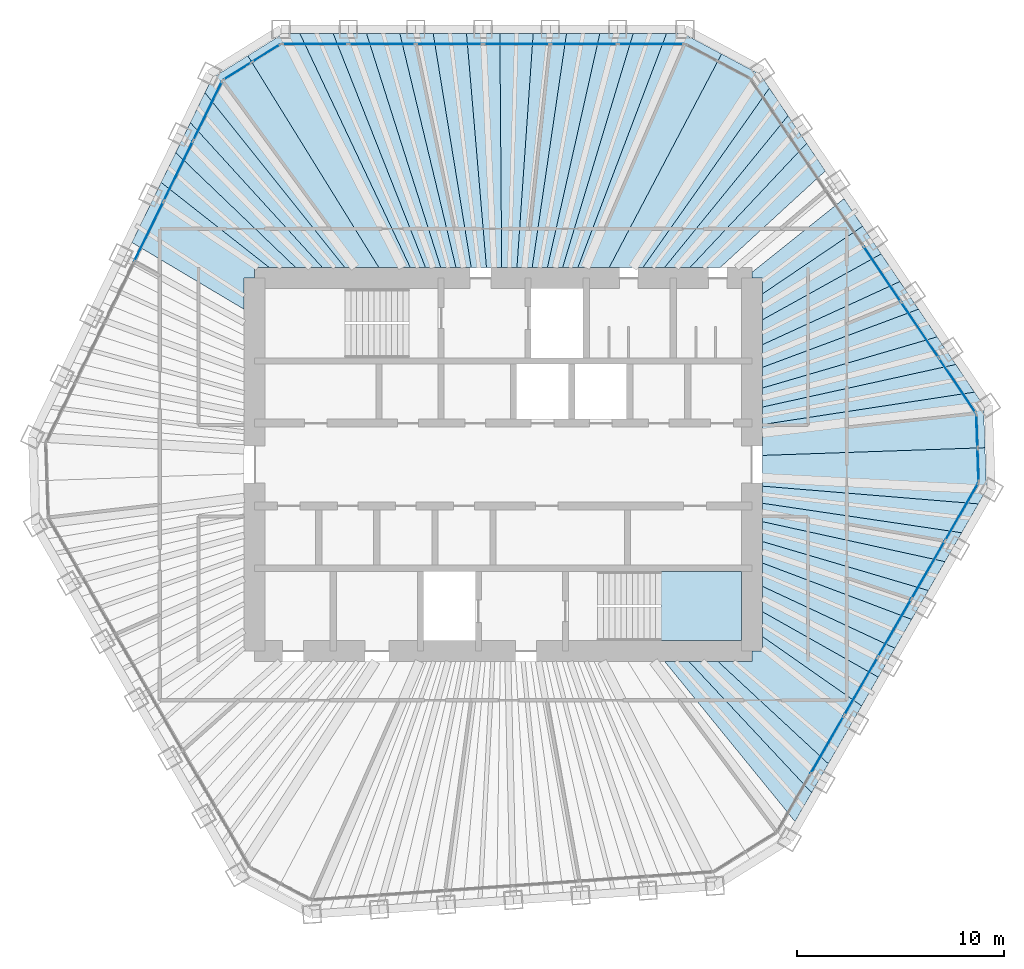
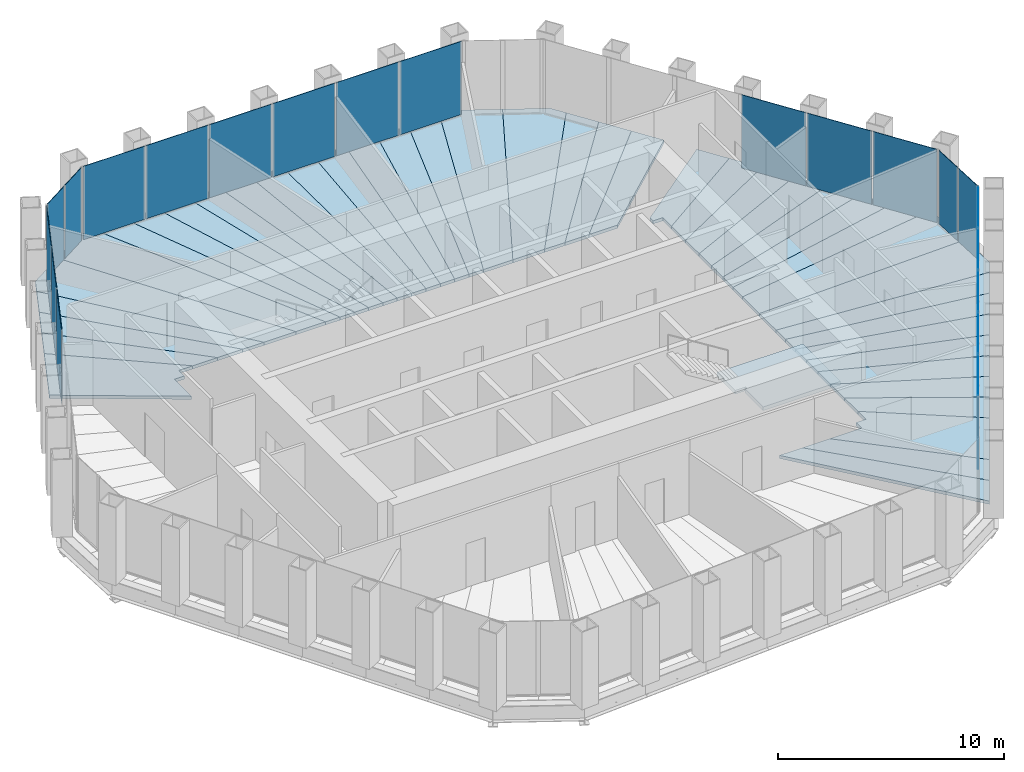
# One storey, part 10 of 14: 42 slabs, 21 plates, 7 elements without a shape of their own.
"""IFC4 building model written with IfcOpenShell, lengths in metres."""

from ifc_helpers import new_model, si_unit, direction, frame, origin, origin_2d, place, context, subcontext, project, spatial, polyline, rectangle, outline, extrude, material, layer, layer_set, type_object, element, aggregate, save


model = new_model("IFC4")

# Units and contexts
model_context = context("Model", 3, precision=1e-05, world=origin(), true_north=direction((0.0, 1.0)))
body_context = subcontext(model_context, "Body", "Model", "MODEL_VIEW")
ifc_project = project(units=[si_unit("LENGTHUNIT", "METRE"), si_unit("AREAUNIT", "SQUARE_METRE"), si_unit("VOLUMEUNIT", "CUBIC_METRE"), si_unit("PLANEANGLEUNIT", "RADIAN"), si_unit("MASSUNIT", "GRAM", prefix="KILO")], contexts=[model_context])

# Site, building, storey
site_placement = place(None, origin())
site = spatial("IfcSite", under=ifc_project, at=site_placement, CompositionType="ELEMENT")
building_placement = place(site_placement, origin())
building = spatial("IfcBuilding", under=site, at=building_placement, Name="Qingtian Harvest Tower", CompositionType="ELEMENT")
storey_placement = place(building_placement, frame((0.0, 0.0, 283.0)))
storey = spatial("IfcBuildingStorey", under=building, at=storey_placement, Name="L62", CompositionType="ELEMENT", Elevation=283.0)

# Slabs
ifc_material_1 = material(Name="Concrete fc' 35 MPa", Category="concrete")
ifc_layer_1 = layer(ifc_material_1, 0.169921875)
ifc_layer_set_1 = layer_set([ifc_layer_1], Name="Composite floor slab FS17 170")
slab_type_1 = type_object("IfcSlabType", Name="Composite floor slab FS17 170", PredefinedType="FLOOR", material=ifc_layer_set_1)
slab_1_placement = place(storey_placement, frame((0.0, 0.0, -0.169921875)))
element("IfcSlab", 1, at=slab_1_placement, inside=storey, type_object=slab_type_1, Name="Floor slab L62 panel D28", PredefinedType="FLOOR", context=body_context, shape_type="SweptSolid", body=[
    extrude(outline(polyline([(8.957275390625, -9.5), (14.88232421875, -15.8330078125), (14.077880859375, -17.2265625), (7.78515625, -9.5), (8.957275390625, -9.5)])), origin(), (0.0, 0.0, 1.0), 0.169921875),
])
slab_2_placement = place(storey_placement, frame((0.0, 0.0, -0.169921875)))
element("IfcSlab", 2, at=slab_2_placement, inside=storey, type_object=slab_type_1, Name="Floor slab L62 panel D29", PredefinedType="FLOOR", context=body_context, shape_type="SweptSolid", body=[
    extrude(outline(polyline([(10.35693359375, -9.5), (15.68701171875, -14.439453125), (14.88232421875, -15.8330078125), (8.957275390625, -9.5), (10.35693359375, -9.5)])), origin(), (0.0, 0.0, 1.0), 0.169921875),
])
slab_3_placement = place(storey_placement, frame((0.0, 0.0, -0.169921875)))
element("IfcSlab", 3, at=slab_3_placement, inside=storey, type_object=slab_type_1, Name="Floor slab L62 panel D31", PredefinedType="FLOOR", context=body_context, shape_type="SweptSolid", body=[
    extrude(outline(polyline([(12.5, -8.29443359375), (17.297119140625, -11.650390625), (15.68701171875, -14.439453125), (10.35693359375, -9.5), (12.0, -9.5), (12.0, -9.0), (12.5, -9.0), (12.5, -8.29443359375)])), origin(), (0.0, 0.0, 1.0), 0.169921875),
])
slab_4_placement = place(storey_placement, frame((0.0, 0.0, -0.169921875)))
element("IfcSlab", 4, at=slab_4_placement, inside=storey, type_object=slab_type_1, Name="Floor slab L62 panel D32", PredefinedType="FLOOR", context=body_context, shape_type="SweptSolid", body=[
    extrude(outline(polyline([(12.5, -7.099853515625), (18.099853515625, -10.26025390625), (17.297119140625, -11.650390625), (12.5, -8.29443359375), (12.5, -7.099853515625)])), origin(), (0.0, 0.0, 1.0), 0.169921875),
])
slab_5_placement = place(storey_placement, frame((0.0, 0.0, -0.169921875)))
element("IfcSlab", 5, at=slab_5_placement, inside=storey, type_object=slab_type_1, Name="Floor slab L62 panel D33", PredefinedType="FLOOR", context=body_context, shape_type="SweptSolid", body=[
    extrude(outline(polyline([(12.5, -5.875244140625), (18.904296875, -8.86669921875), (18.099853515625, -10.26025390625), (12.5, -7.099853515625), (12.5, -5.875244140625)])), origin(), (0.0, 0.0, 1.0), 0.169921875),
])
slab_6_placement = place(storey_placement, frame((0.0, 0.0, -0.169921875)))
element("IfcSlab", 6, at=slab_6_placement, inside=storey, type_object=slab_type_1, Name="Floor slab L62 panel D34", PredefinedType="FLOOR", context=body_context, shape_type="SweptSolid", body=[
    extrude(outline(polyline([(12.5, -4.750732421875), (19.708740234375, -7.473388671875), (18.904296875, -8.86669921875), (12.5, -5.875244140625), (12.5, -4.750732421875)])), origin(), (0.0, 0.0, 1.0), 0.169921875),
])
slab_7_placement = place(storey_placement, frame((0.0, 0.0, -0.169921875)))
element("IfcSlab", 7, at=slab_7_placement, inside=storey, type_object=slab_type_1, Name="Floor slab L62 panel D35", PredefinedType="FLOOR", context=body_context, shape_type="SweptSolid", body=[
    extrude(outline(polyline([(12.5, -3.714599609375), (20.51318359375, -6.080078125), (19.708740234375, -7.473388671875), (12.5, -4.750732421875), (12.5, -3.714599609375)])), origin(), (0.0, 0.0, 1.0), 0.169921875),
])
slab_8_placement = place(storey_placement, frame((0.0, 0.0, -0.169921875)))
element("IfcSlab", 8, at=slab_8_placement, inside=storey, type_object=slab_type_1, Name="Floor slab L62 panel D36", PredefinedType="FLOOR", context=body_context, shape_type="SweptSolid", body=[
    extrude(outline(polyline([(12.5, -2.756591796875), (21.317626953125, -4.6865234375), (20.51318359375, -6.080078125), (12.5, -3.714599609375), (12.5, -2.756591796875)])), origin(), (0.0, 0.0, 1.0), 0.169921875),
])
slab_9_placement = place(storey_placement, frame((0.0, 0.0, -0.169921875)))
element("IfcSlab", 9, at=slab_9_placement, inside=storey, type_object=slab_type_1, Name="Floor slab L62 panel D37", PredefinedType="FLOOR", context=body_context, shape_type="SweptSolid", body=[
    extrude(outline(polyline([(12.5, -1.868408203125), (22.122314453125, -3.293212890625), (21.317626953125, -4.6865234375), (12.5, -2.756591796875), (12.5, -1.868408203125)])), origin(), (0.0, 0.0, 1.0), 0.169921875),
])
slab_10_placement = place(storey_placement, frame((0.0, 0.0, -0.169921875)))
element("IfcSlab", 10, at=slab_10_placement, inside=storey, type_object=slab_type_1, Name="Floor slab L62 panel D38", PredefinedType="FLOOR", context=body_context, shape_type="SweptSolid", body=[
    extrude(outline(polyline([(12.5, -1.042724609375), (22.9267578125, -1.89990234375), (22.122314453125, -3.293212890625), (12.5, -1.868408203125), (12.5, -1.042724609375)])), origin(), (0.0, 0.0, 1.0), 0.169921875),
])
slab_11_placement = place(storey_placement, frame((0.0, 0.0, -0.169921875)))
element("IfcSlab", 11, at=slab_11_placement, inside=storey, type_object=slab_type_1, Name="Floor slab L62 panel D39", PredefinedType="FLOOR", context=body_context, shape_type="SweptSolid", body=[
    extrude(outline(polyline([(12.5, -1.042724609375), (12.5, 0.439697265625), (23.246826171875, 0.811767578125), (23.31787109375, -1.22216796875), (22.9267578125, -1.89990234375), (12.5, -1.042724609375)])), origin(), (0.0, 0.0, 1.0), 0.169921875),
])
slab_12_placement = place(storey_placement, frame((0.0, 0.0, -0.169921875)))
element("IfcSlab", 12, at=slab_12_placement, inside=storey, type_object=slab_type_1, Name="Floor slab L62 panel D40", PredefinedType="FLOOR", context=body_context, shape_type="SweptSolid", body=[
    extrude(outline(polyline([(12.5, 0.439697265625), (12.5, 1.928955078125), (22.73828125, 3.494384765625), (23.17578125, 2.845947265625), (23.246826171875, 0.811767578125), (12.5, 0.439697265625)])), origin(), (0.0, 0.0, 1.0), 0.169921875),
])
slab_13_placement = place(storey_placement, frame((0.0, 0.0, -0.169921875)))
element("IfcSlab", 13, at=slab_13_placement, inside=storey, type_object=slab_type_1, Name="Floor slab L62 panel D41", PredefinedType="FLOOR", context=body_context, shape_type="SweptSolid", body=[
    extrude(outline(polyline([(12.5, 2.772705078125), (21.838623046875, 4.828369140625), (22.73828125, 3.494384765625), (12.5, 1.928955078125), (12.5, 2.772705078125)])), origin(), (0.0, 0.0, 1.0), 0.169921875),
])
slab_14_placement = place(storey_placement, frame((0.0, 0.0, -0.169921875)))
element("IfcSlab", 14, at=slab_14_placement, inside=storey, type_object=slab_type_1, Name="Floor slab L62 panel D42", PredefinedType="FLOOR", context=body_context, shape_type="SweptSolid", body=[
    extrude(outline(polyline([(12.5, 3.688720703125), (20.93896484375, 6.162353515625), (21.838623046875, 4.828369140625), (12.5, 2.772705078125), (12.5, 3.688720703125)])), origin(), (0.0, 0.0, 1.0), 0.169921875),
])
slab_15_placement = place(storey_placement, frame((0.0, 0.0, -0.169921875)))
element("IfcSlab", 15, at=slab_15_placement, inside=storey, type_object=slab_type_1, Name="Floor slab L62 panel D43", PredefinedType="FLOOR", context=body_context, shape_type="SweptSolid", body=[
    extrude(outline(polyline([(12.5, 4.6875), (20.0390625, 7.49609375), (20.93896484375, 6.162353515625), (12.5, 3.688720703125), (12.5, 4.6875)])), origin(), (0.0, 0.0, 1.0), 0.169921875),
])
slab_16_placement = place(storey_placement, frame((0.0, 0.0, -0.169921875)))
element("IfcSlab", 16, at=slab_16_placement, inside=storey, type_object=slab_type_1, Name="Floor slab L62 panel D44", PredefinedType="FLOOR", context=body_context, shape_type="SweptSolid", body=[
    extrude(outline(polyline([(12.5, 5.780029296875), (19.139404296875, 8.830078125), (20.0390625, 7.49609375), (12.5, 4.6875), (12.5, 5.780029296875)])), origin(), (0.0, 0.0, 1.0), 0.169921875),
])
slab_17_placement = place(storey_placement, frame((0.0, 0.0, -0.169921875)))
element("IfcSlab", 17, at=slab_17_placement, inside=storey, type_object=slab_type_1, Name="Floor slab L62 panel D45", PredefinedType="FLOOR", context=body_context, shape_type="SweptSolid", body=[
    extrude(outline(polyline([(12.5, 6.980712890625), (18.23974609375, 10.1640625), (19.139404296875, 8.830078125), (12.5, 5.780029296875), (12.5, 6.980712890625)])), origin(), (0.0, 0.0, 1.0), 0.169921875),
])
slab_18_placement = place(storey_placement, frame((0.0, 0.0, -0.169921875)))
element("IfcSlab", 18, at=slab_18_placement, inside=storey, type_object=slab_type_1, Name="Floor slab L62 panel D46", PredefinedType="FLOOR", context=body_context, shape_type="SweptSolid", body=[
    extrude(outline(polyline([(12.5, 8.22998046875), (17.341064453125, 11.496337890625), (18.23974609375, 10.1640625), (12.5, 6.980712890625), (12.5, 8.22998046875)])), origin(), (0.0, 0.0, 1.0), 0.169921875),
])
slab_19_placement = place(storey_placement, frame((0.0, 0.0, -0.169921875)))
element("IfcSlab", 19, at=slab_19_placement, inside=storey, type_object=slab_type_1, Name="Floor slab L62 panel D47", PredefinedType="FLOOR", context=body_context, shape_type="SweptSolid", body=[
    extrude(outline(polyline([(12.5, 9.0), (12.0, 9.0), (12.0, 9.2734375), (16.44189453125, 12.829345703125), (17.341064453125, 11.496337890625), (12.5, 8.22998046875), (12.5, 9.0)])), origin(), (0.0, 0.0, 1.0), 0.169921875),
])
slab_20_placement = place(storey_placement, frame((0.0, 0.0, -0.169921875)))
element("IfcSlab", 20, at=slab_20_placement, inside=storey, type_object=slab_type_1, Name="Floor slab L62 panel D49", PredefinedType="FLOOR", context=body_context, shape_type="SweptSolid", body=[
    extrude(outline(polyline([(9.002685546875, 9.5), (14.641357421875, 15.498779296875), (15.541259765625, 14.16455078125), (10.4599609375, 9.5), (9.002685546875, 9.5)])), origin(), (0.0, 0.0, 1.0), 0.169921875),
])
slab_21_placement = place(storey_placement, frame((0.0, 0.0, -0.169921875)))
element("IfcSlab", 21, at=slab_21_placement, inside=storey, type_object=slab_type_1, Name="Floor slab L62 panel D50", PredefinedType="FLOOR", context=body_context, shape_type="SweptSolid", body=[
    extrude(outline(polyline([(7.77734375, 9.5), (13.74169921875, 16.832763671875), (14.641357421875, 15.498779296875), (9.002685546875, 9.5), (7.77734375, 9.5)])), origin(), (0.0, 0.0, 1.0), 0.169921875),
])
slab_22_placement = place(storey_placement, frame((0.0, 0.0, -0.169921875)))
element("IfcSlab", 22, at=slab_22_placement, inside=storey, type_object=slab_type_1, Name="Floor slab L62 panel D51", PredefinedType="FLOOR", context=body_context, shape_type="SweptSolid", body=[
    extrude(outline(polyline([(6.73291015625, 9.5), (12.841796875, 18.16650390625), (13.74169921875, 16.832763671875), (7.77734375, 9.5), (6.73291015625, 9.5)])), origin(), (0.0, 0.0, 1.0), 0.169921875),
])
slab_23_placement = place(storey_placement, frame((0.0, 0.0, -0.169921875)))
element("IfcSlab", 23, at=slab_23_placement, inside=storey, type_object=slab_type_1, Name="Floor slab L62 panel D52", PredefinedType="FLOOR", context=body_context, shape_type="SweptSolid", body=[
    extrude(outline(polyline([(6.73291015625, 9.5), (5.108154296875, 9.5), (10.5341796875, 19.809814453125), (12.404296875, 18.8154296875), (12.841796875, 18.16650390625), (6.73291015625, 9.5)])), origin(), (0.0, 0.0, 1.0), 0.169921875),
])
slab_24_placement = place(storey_placement, frame((0.0, 0.0, -0.169921875)))
element("IfcSlab", 24, at=slab_24_placement, inside=storey, type_object=slab_type_1, Name="Floor slab L62 panel D53", PredefinedType="FLOOR", context=body_context, shape_type="SweptSolid", body=[
    extrude(outline(polyline([(3.59814453125, 9.5), (7.880126953125, 20.804931640625), (8.662109375, 20.804931640625), (10.5341796875, 19.809814453125), (5.108154296875, 9.5), (3.59814453125, 9.5)])), origin(), (0.0, 0.0, 1.0), 0.169921875),
])
slab_25_placement = place(storey_placement, frame((0.0, 0.0, -0.169921875)))
element("IfcSlab", 25, at=slab_25_placement, inside=storey, type_object=slab_type_1, Name="Floor slab L62 panel D54", PredefinedType="FLOOR", context=body_context, shape_type="SweptSolid", body=[
    extrude(outline(polyline([(2.863525390625, 9.5), (6.27099609375, 20.804931640625), (7.880126953125, 20.804931640625), (3.59814453125, 9.5), (2.863525390625, 9.5)])), origin(), (0.0, 0.0, 1.0), 0.169921875),
])
slab_26_placement = place(storey_placement, frame((0.0, 0.0, -0.169921875)))
element("IfcSlab", 26, at=slab_26_placement, inside=storey, type_object=slab_type_1, Name="Floor slab L62 panel D55", PredefinedType="FLOOR", context=body_context, shape_type="SweptSolid", body=[
    extrude(outline(polyline([(2.12890625, 9.5), (4.662109375, 20.804931640625), (6.27099609375, 20.804931640625), (2.863525390625, 9.5), (2.12890625, 9.5)])), origin(), (0.0, 0.0, 1.0), 0.169921875),
])
slab_27_placement = place(storey_placement, frame((0.0, 0.0, -0.169921875)))
element("IfcSlab", 27, at=slab_27_placement, inside=storey, type_object=slab_type_1, Name="Floor slab L62 panel D56", PredefinedType="FLOOR", context=body_context, shape_type="SweptSolid", body=[
    extrude(outline(polyline([(1.394287109375, 9.5), (3.05322265625, 20.804931640625), (4.662109375, 20.804931640625), (2.12890625, 9.5), (1.394287109375, 9.5)])), origin(), (0.0, 0.0, 1.0), 0.169921875),
])
slab_28_placement = place(storey_placement, frame((0.0, 0.0, -0.169921875)))
element("IfcSlab", 28, at=slab_28_placement, inside=storey, type_object=slab_type_1, Name="Floor slab L62 panel D57", PredefinedType="FLOOR", context=body_context, shape_type="SweptSolid", body=[
    extrude(outline(polyline([(0.659423828125, 9.5), (1.4443359375, 20.804931640625), (3.05322265625, 20.804931640625), (1.394287109375, 9.5), (0.659423828125, 9.5)])), origin(), (0.0, 0.0, 1.0), 0.169921875),
])
slab_29_placement = place(storey_placement, frame((0.0, 0.0, -0.169921875)))
element("IfcSlab", 29, at=slab_29_placement, inside=storey, type_object=slab_type_1, Name="Floor slab L62 panel D58", PredefinedType="FLOOR", context=body_context, shape_type="SweptSolid", body=[
    extrude(outline(polyline([(-0.0751953125, 9.5), (-0.16455078125, 20.804931640625), (1.4443359375, 20.804931640625), (0.659423828125, 9.5), (-0.0751953125, 9.5)])), origin(), (0.0, 0.0, 1.0), 0.169921875),
])
slab_30_placement = place(storey_placement, frame((0.0, 0.0, -0.169921875)))
element("IfcSlab", 30, at=slab_30_placement, inside=storey, type_object=slab_type_1, Name="Floor slab L62 panel D59", PredefinedType="FLOOR", context=body_context, shape_type="SweptSolid", body=[
    extrude(outline(polyline([(-0.809814453125, 9.5), (-1.773681640625, 20.804931640625), (-0.16455078125, 20.804931640625), (-0.0751953125, 9.5), (-0.809814453125, 9.5)])), origin(), (0.0, 0.0, 1.0), 0.169921875),
])
slab_31_placement = place(storey_placement, frame((0.0, 0.0, -0.169921875)))
element("IfcSlab", 31, at=slab_31_placement, inside=storey, type_object=slab_type_1, Name="Floor slab L62 panel D60", PredefinedType="FLOOR", context=body_context, shape_type="SweptSolid", body=[
    extrude(outline(polyline([(-1.54443359375, 9.5), (-3.382568359375, 20.804931640625), (-1.773681640625, 20.804931640625), (-0.809814453125, 9.5), (-1.54443359375, 9.5)])), origin(), (0.0, 0.0, 1.0), 0.169921875),
])
slab_32_placement = place(storey_placement, frame((0.0, 0.0, -0.169921875)))
element("IfcSlab", 32, at=slab_32_placement, inside=storey, type_object=slab_type_1, Name="Floor slab L62 panel D61", PredefinedType="FLOOR", context=body_context, shape_type="SweptSolid", body=[
    extrude(outline(polyline([(-2.279296875, 9.5), (-4.991455078125, 20.804931640625), (-3.382568359375, 20.804931640625), (-1.54443359375, 9.5), (-2.279296875, 9.5)])), origin(), (0.0, 0.0, 1.0), 0.169921875),
])
slab_33_placement = place(storey_placement, frame((0.0, 0.0, -0.169921875)))
element("IfcSlab", 33, at=slab_33_placement, inside=storey, type_object=slab_type_1, Name="Floor slab L62 panel D62", PredefinedType="FLOOR", context=body_context, shape_type="SweptSolid", body=[
    extrude(outline(polyline([(-3.013916015625, 9.5), (-6.600341796875, 20.804931640625), (-4.991455078125, 20.804931640625), (-2.279296875, 9.5), (-3.013916015625, 9.5)])), origin(), (0.0, 0.0, 1.0), 0.169921875),
])
slab_34_placement = place(storey_placement, frame((0.0, 0.0, -0.169921875)))
element("IfcSlab", 34, at=slab_34_placement, inside=storey, type_object=slab_type_1, Name="Floor slab L62 panel D63", PredefinedType="FLOOR", context=body_context, shape_type="SweptSolid", body=[
    extrude(outline(polyline([(-3.74853515625, 9.5), (-8.209228515625, 20.804931640625), (-6.600341796875, 20.804931640625), (-3.013916015625, 9.5), (-3.74853515625, 9.5)])), origin(), (0.0, 0.0, 1.0), 0.169921875),
])
slab_35_placement = place(storey_placement, frame((0.0, 0.0, -0.169921875)))
element("IfcSlab", 35, at=slab_35_placement, inside=storey, type_object=slab_type_1, Name="Floor slab L62 panel D64", PredefinedType="FLOOR", context=body_context, shape_type="SweptSolid", body=[
    extrude(outline(polyline([(-4.483154296875, 9.5), (-9.818115234375, 20.804931640625), (-8.209228515625, 20.804931640625), (-3.74853515625, 9.5), (-4.483154296875, 9.5)])), origin(), (0.0, 0.0, 1.0), 0.169921875),
])
slab_36_placement = place(storey_placement, frame((0.0, 0.0, -0.169921875)))
element("IfcSlab", 36, at=slab_36_placement, inside=storey, type_object=slab_type_1, Name="Floor slab L62 panel D65", PredefinedType="FLOOR", context=body_context, shape_type="SweptSolid", body=[
    extrude(outline(polyline([(-4.483154296875, 9.5), (-5.998291015625, 9.5), (-12.327392578125, 19.725830078125), (-10.600341796875, 20.804931640625), (-9.818115234375, 20.804931640625), (-4.483154296875, 9.5)])), origin(), (0.0, 0.0, 1.0), 0.169921875),
])
slab_37_placement = place(storey_placement, frame((0.0, 0.0, -0.169921875)))
element("IfcSlab", 37, at=slab_37_placement, inside=storey, type_object=slab_type_1, Name="Floor slab L62 panel D66", PredefinedType="FLOOR", context=body_context, shape_type="SweptSolid", body=[
    extrude(outline(polyline([(-5.998291015625, 9.5), (-7.640869140625, 9.5), (-14.3955078125, 17.944580078125), (-14.052490234375, 18.64794921875), (-12.327392578125, 19.725830078125), (-5.998291015625, 9.5)])), origin(), (0.0, 0.0, 1.0), 0.169921875),
])
slab_38_placement = place(storey_placement, frame((0.0, 0.0, -0.169921875)))
element("IfcSlab", 38, at=slab_38_placement, inside=storey, type_object=slab_type_1, Name="Floor slab L62 panel D67", PredefinedType="FLOOR", context=body_context, shape_type="SweptSolid", body=[
    extrude(outline(polyline([(-8.720703125, 9.5), (-15.100830078125, 16.498291015625), (-14.3955078125, 17.944580078125), (-7.640869140625, 9.5), (-8.720703125, 9.5)])), origin(), (0.0, 0.0, 1.0), 0.169921875),
])
slab_39_placement = place(storey_placement, frame((0.0, 0.0, -0.169921875)))
element("IfcSlab", 39, at=slab_39_placement, inside=storey, type_object=slab_type_1, Name="Floor slab L62 panel D68", PredefinedType="FLOOR", context=body_context, shape_type="SweptSolid", body=[
    extrude(outline(polyline([(-10.00927734375, 9.5), (-15.80615234375, 15.05224609375), (-15.100830078125, 16.498291015625), (-8.720703125, 9.5), (-10.00927734375, 9.5)])), origin(), (0.0, 0.0, 1.0), 0.169921875),
])
slab_40_placement = place(storey_placement, frame((0.0, 0.0, -0.169921875)))
element("IfcSlab", 40, at=slab_40_placement, inside=storey, type_object=slab_type_1, Name="Floor slab L62 panel D69", PredefinedType="FLOOR", context=body_context, shape_type="SweptSolid", body=[
    extrude(outline(polyline([(-11.28125, 9.5), (-16.50927734375, 13.61083984375), (-15.80615234375, 15.05224609375), (-10.00927734375, 9.5), (-11.28125, 9.5)])), origin(), (0.0, 0.0, 1.0), 0.169921875),
])
slab_41_placement = place(storey_placement, frame((0.0, 0.0, -0.169921875)))
element("IfcSlab", 41, at=slab_41_placement, inside=storey, type_object=slab_type_1, Name="Floor slab L62 panel D70", PredefinedType="FLOOR", context=body_context, shape_type="SweptSolid", body=[
    extrude(outline(polyline([(-12.0, 9.0), (-12.5, 9.0), (-12.5, 7.48583984375), (-17.921875, 10.714599609375), (-16.50927734375, 13.61083984375), (-11.28125, 9.5), (-12.0, 9.5), (-12.0, 9.0)])), origin(), (0.0, 0.0, 1.0), 0.169921875),
])

# Curtain wall, plates
ifc_material_2 = material(Name="Bronze-anodised aluminium curtain wall", Category="aluminium")
curtain_wall_type = type_object("IfcCurtainWallType", Name="Curtain wall CW5 upper office", PredefinedType="USERDEFINED", material=ifc_material_2)
curtain_wall_1_placement = place(storey_placement, origin())
curtain_wall_1 = element("IfcCurtainWall", 42, at=curtain_wall_1_placement, inside=storey, type_object=curtain_wall_type, Name="Curtain wall CW5 L62 N0-5", ObjectType="RECESSED CURTAIN WALL", PredefinedType="USERDEFINED")
ifc_material_3 = material(Name="Bronze-tinted laminated insulating glass", Category="glass")
ifc_layer_2 = layer(ifc_material_3, 0.030029296875)
ifc_layer_set_2 = layer_set([ifc_layer_2], Name="Glazed panel CWP tinted IGU")
plate_type = type_object("IfcPlateType", Name="Glazed panel CWP tinted IGU", PredefinedType="CURTAIN_PANEL", material=ifc_layer_set_2)
plate_1_placement = place(storey_placement, frame((-9.08203125, 20.300048828125, 0.06494140625), z_axis=(0.0, 0.0, 1.0), x_axis=(1.0, 0.0, 0.0)))
plate_1 = element("IfcPlate", 43, at=plate_1_placement, type_object=plate_type, Name="CW5 panel 1.1", PredefinedType="CURTAIN_PANEL", context=body_context, shape_type="SweptSolid", body=[
    extrude(rectangle(XDim=3.150634765625, YDim=0.030029296875, at=origin_2d()), origin(), (0.0, 0.0, 1.0), 3.965087890625),
])
plate_2_placement = place(storey_placement, frame((-5.85009765625, 20.300048828125, 0.06494140625), z_axis=(0.0, 0.0, 1.0), x_axis=(1.0, 0.0, 0.0)))
plate_2 = element("IfcPlate", 44, at=plate_2_placement, type_object=plate_type, Name="CW5 panel 2.1", PredefinedType="CURTAIN_PANEL", context=body_context, shape_type="SweptSolid", body=[
    extrude(rectangle(XDim=3.18310546875, YDim=0.030029296875, at=origin_2d()), origin(), (0.0, 0.0, 1.0), 3.965087890625),
])
plate_3_placement = place(storey_placement, frame((-2.602294921875, 20.300048828125, 0.06494140625), z_axis=(0.0, 0.0, 1.0), x_axis=(1.0, 0.0, 0.0)))
plate_3 = element("IfcPlate", 45, at=plate_3_placement, type_object=plate_type, Name="CW5 panel 3.1", PredefinedType="CURTAIN_PANEL", context=body_context, shape_type="SweptSolid", body=[
    extrude(rectangle(XDim=3.18310546875, YDim=0.030029296875, at=origin_2d()), origin(), (0.0, 0.0, 1.0), 3.965087890625),
])
plate_4_placement = place(storey_placement, frame((0.645751953125, 20.300048828125, 0.06494140625), z_axis=(0.0, 0.0, 1.0), x_axis=(1.0, 0.0, 0.0)))
plate_4 = element("IfcPlate", 46, at=plate_4_placement, type_object=plate_type, Name="CW5 panel 4.1", PredefinedType="CURTAIN_PANEL", context=body_context, shape_type="SweptSolid", body=[
    extrude(rectangle(XDim=3.18310546875, YDim=0.030029296875, at=origin_2d()), origin(), (0.0, 0.0, 1.0), 3.965087890625),
])
plate_5_placement = place(storey_placement, frame((3.893798828125, 20.300048828125, 0.06494140625), z_axis=(0.0, 0.0, 1.0), x_axis=(1.0, 0.0, 0.0)))
plate_5 = element("IfcPlate", 47, at=plate_5_placement, type_object=plate_type, Name="CW5 panel 5.1", PredefinedType="CURTAIN_PANEL", context=body_context, shape_type="SweptSolid", body=[
    extrude(rectangle(XDim=3.18310546875, YDim=0.030029296875, at=origin_2d()), origin(), (0.0, 0.0, 1.0), 3.965087890625),
])
plate_6_placement = place(storey_placement, frame((7.125732421875, 20.300048828125, 0.06494140625), z_axis=(0.0, 0.0, 1.0), x_axis=(1.0, 0.0, 0.0)))
plate_6 = element("IfcPlate", 48, at=plate_6_placement, type_object=plate_type, Name="CW5 panel 6.1", PredefinedType="CURTAIN_PANEL", context=body_context, shape_type="SweptSolid", body=[
    extrude(rectangle(XDim=3.150634765625, YDim=0.030029296875, at=origin_2d()), origin(), (0.0, 0.0, 1.0), 3.965087890625),
])
aggregate(curtain_wall_1, [plate_1, plate_2, plate_3, plate_4, plate_5, plate_6])

curtain_wall_2_placement = place(storey_placement, origin())
curtain_wall_2 = element("IfcCurtainWall", 49, at=curtain_wall_2_placement, inside=storey, type_object=curtain_wall_type, Name="Curtain wall CW5 L62 NE0-5", ObjectType="RECESSED CURTAIN WALL", PredefinedType="USERDEFINED")
plate_7_placement = place(storey_placement, frame((18.28466796875, 9.1943359375, 0.06494140625), z_axis=(0.0, 0.0, 1.0), x_axis=(0.559192903471, -0.829037572555, 0.0)))
plate_7 = element("IfcPlate", 50, at=plate_7_placement, type_object=plate_type, Name="CW5 panel 4.1", PredefinedType="CURTAIN_PANEL", context=body_context, shape_type="SweptSolid", body=[
    extrude(rectangle(XDim=3.18310546875, YDim=0.030029296875, at=origin_2d()), origin(), (0.0, 0.0, 1.0), 3.965087890625),
])
plate_8_placement = place(storey_placement, frame((20.100830078125, 6.50146484375, 0.06494140625), z_axis=(0.0, 0.0, 1.0), x_axis=(0.559192903471, -0.829037572555, 0.0)))
plate_8 = element("IfcPlate", 51, at=plate_8_placement, type_object=plate_type, Name="CW5 panel 5.1", PredefinedType="CURTAIN_PANEL", context=body_context, shape_type="SweptSolid", body=[
    extrude(rectangle(XDim=3.18310546875, YDim=0.030029296875, at=origin_2d()), origin(), (0.0, 0.0, 1.0), 3.965087890625),
])
plate_9_placement = place(storey_placement, frame((21.907958984375, 3.822265625, 0.06494140625), z_axis=(0.0, 0.0, 1.0), x_axis=(0.559192903471, -0.829037572555, 0.0)))
plate_9 = element("IfcPlate", 52, at=plate_9_placement, type_object=plate_type, Name="CW5 panel 6.1", PredefinedType="CURTAIN_PANEL", context=body_context, shape_type="SweptSolid", body=[
    extrude(rectangle(XDim=3.150634765625, YDim=0.030029296875, at=origin_2d()), origin(), (0.0, 0.0, 1.0), 3.965087890625),
])
aggregate(curtain_wall_2, [plate_7, plate_8, plate_9])

curtain_wall_3_placement = place(storey_placement, origin())
curtain_wall_3 = element("IfcCurtainWall", 53, at=curtain_wall_3_placement, inside=storey, type_object=curtain_wall_type, Name="Curtain wall CW5 L62 NEC", ObjectType="RECESSED CURTAIN WALL", PredefinedType="USERDEFINED")
plate_10_placement = place(storey_placement, frame((22.85498046875, 1.614501953125, 0.06494140625), z_axis=(0.0, 0.0, 1.0), x_axis=(0.034899496703, -0.999390827019, 0.0)))
plate_10 = element("IfcPlate", 54, at=plate_10_placement, type_object=plate_type, Name="CW5 panel 1.1", PredefinedType="CURTAIN_PANEL", context=body_context, shape_type="SweptSolid", body=[
    extrude(rectangle(XDim=1.56689453125, YDim=0.030029296875, at=origin_2d()), origin(), (0.0, 0.0, 1.0), 3.965087890625),
])
plate_11_placement = place(storey_placement, frame((22.911865234375, -0.016357421875, 0.06494140625), z_axis=(0.0, 0.0, 1.0), x_axis=(0.034899496703, -0.999390827019, 0.0)))
plate_11 = element("IfcPlate", 55, at=plate_11_placement, type_object=plate_type, Name="CW5 panel 2.1", PredefinedType="CURTAIN_PANEL", context=body_context, shape_type="SweptSolid", body=[
    extrude(rectangle(XDim=1.56689453125, YDim=0.030029296875, at=origin_2d()), origin(), (0.0, 0.0, 1.0), 3.965087890625),
])
aggregate(curtain_wall_3, [plate_10, plate_11])

curtain_wall_4_placement = place(storey_placement, origin())
curtain_wall_4 = element("IfcCurtainWall", 56, at=curtain_wall_4_placement, inside=storey, type_object=curtain_wall_type, Name="Curtain wall CW5 L62 SE0-5", ObjectType="RECESSED CURTAIN WALL", PredefinedType="USERDEFINED")
plate_12_placement = place(storey_placement, frame((22.121337890625, -2.28466796875, 0.06494140625), z_axis=(0.0, 0.0, 1.0), x_axis=(-0.5, -0.866025403784, 0.0)))
plate_12 = element("IfcPlate", 57, at=plate_12_placement, type_object=plate_type, Name="CW5 panel 1.1", PredefinedType="CURTAIN_PANEL", context=body_context, shape_type="SweptSolid", body=[
    extrude(rectangle(XDim=3.150634765625, YDim=0.030029296875, at=origin_2d()), origin(), (0.0, 0.0, 1.0), 3.965087890625),
])
plate_13_placement = place(storey_placement, frame((20.50537109375, -5.08349609375, 0.06494140625), z_axis=(0.0, 0.0, 1.0), x_axis=(-0.5, -0.866025403784, 0.0)))
plate_13 = element("IfcPlate", 58, at=plate_13_placement, type_object=plate_type, Name="CW5 panel 2.1", PredefinedType="CURTAIN_PANEL", context=body_context, shape_type="SweptSolid", body=[
    extrude(rectangle(XDim=3.18310546875, YDim=0.030029296875, at=origin_2d()), origin(), (0.0, 0.0, 1.0), 3.965087890625),
])
plate_14_placement = place(storey_placement, frame((18.88134765625, -7.896484375, 0.06494140625), z_axis=(0.0, 0.0, 1.0), x_axis=(-0.5, -0.866025403784, 0.0)))
plate_14 = element("IfcPlate", 59, at=plate_14_placement, type_object=plate_type, Name="CW5 panel 3.1", PredefinedType="CURTAIN_PANEL", context=body_context, shape_type="SweptSolid", body=[
    extrude(rectangle(XDim=3.18310546875, YDim=0.030029296875, at=origin_2d()), origin(), (0.0, 0.0, 1.0), 3.965087890625),
])
plate_15_placement = place(storey_placement, frame((17.25732421875, -10.709228515625, 0.06494140625), z_axis=(0.0, 0.0, 1.0), x_axis=(-0.5, -0.866025403784, 0.0)))
plate_15 = element("IfcPlate", 60, at=plate_15_placement, type_object=plate_type, Name="CW5 panel 4.1", PredefinedType="CURTAIN_PANEL", context=body_context, shape_type="SweptSolid", body=[
    extrude(rectangle(XDim=3.18310546875, YDim=0.030029296875, at=origin_2d()), origin(), (0.0, 0.0, 1.0), 3.965087890625),
])
plate_16_placement = place(storey_placement, frame((15.63330078125, -13.522216796875, 0.06494140625), z_axis=(0.0, 0.0, 1.0), x_axis=(-0.5, -0.866025403784, 0.0)))
plate_16 = element("IfcPlate", 61, at=plate_16_placement, type_object=plate_type, Name="CW5 panel 5.1", PredefinedType="CURTAIN_PANEL", context=body_context, shape_type="SweptSolid", body=[
    extrude(rectangle(XDim=3.18310546875, YDim=0.030029296875, at=origin_2d()), origin(), (0.0, 0.0, 1.0), 3.965087890625),
])
aggregate(curtain_wall_4, [plate_12, plate_13, plate_14, plate_15, plate_16])

curtain_wall_5_placement = place(storey_placement, origin())
curtain_wall_5 = element("IfcCurtainWall", 62, at=curtain_wall_5_placement, inside=storey, type_object=curtain_wall_type, Name="Curtain wall CW5 L62 NW0-5", ObjectType="RECESSED CURTAIN WALL", PredefinedType="USERDEFINED")
plate_17_placement = place(storey_placement, frame((-17.104736328125, 11.23779296875, 0.06494140625), z_axis=(0.0, 0.0, 1.0), x_axis=(0.438371146789, 0.898794046299, 0.0)))
plate_17 = element("IfcPlate", 63, at=plate_17_placement, type_object=plate_type, Name="CW5 panel 4.1", PredefinedType="CURTAIN_PANEL", context=body_context, shape_type="SweptSolid", body=[
    extrude(rectangle(XDim=3.18310546875, YDim=0.030029296875, at=origin_2d()), origin(), (0.0, 0.0, 1.0), 3.965087890625),
])
plate_18_placement = place(storey_placement, frame((-15.680908203125, 14.156982421875, 0.06494140625), z_axis=(0.0, 0.0, 1.0), x_axis=(0.438371146789, 0.898794046299, 0.0)))
plate_18 = element("IfcPlate", 64, at=plate_18_placement, type_object=plate_type, Name="CW5 panel 5.1", PredefinedType="CURTAIN_PANEL", context=body_context, shape_type="SweptSolid", body=[
    extrude(rectangle(XDim=3.18310546875, YDim=0.030029296875, at=origin_2d()), origin(), (0.0, 0.0, 1.0), 3.965087890625),
])
plate_19_placement = place(storey_placement, frame((-14.26416015625, 17.061767578125, 0.06494140625), z_axis=(0.0, 0.0, 1.0), x_axis=(0.438371146789, 0.898794046299, 0.0)))
plate_19 = element("IfcPlate", 65, at=plate_19_placement, type_object=plate_type, Name="CW5 panel 6.1", PredefinedType="CURTAIN_PANEL", context=body_context, shape_type="SweptSolid", body=[
    extrude(rectangle(XDim=3.150634765625, YDim=0.030029296875, at=origin_2d()), origin(), (0.0, 0.0, 1.0), 3.965087890625),
])
aggregate(curtain_wall_5, [plate_17, plate_18, plate_19])

curtain_wall_6_placement = place(storey_placement, origin())
curtain_wall_6 = element("IfcCurtainWall", 66, at=curtain_wall_6_placement, inside=storey, type_object=curtain_wall_type, Name="Curtain wall CW5 L62 NWC", ObjectType="RECESSED CURTAIN WALL", PredefinedType="USERDEFINED")
plate_20_placement = place(storey_placement, frame((-12.82568359375, 18.985595703125, 0.06494140625), z_axis=(0.0, 0.0, 1.0), x_axis=(0.848048096156, 0.529919264233, 0.0)))
plate_20 = element("IfcPlate", 67, at=plate_20_placement, type_object=plate_type, Name="CW5 panel 1.1", PredefinedType="CURTAIN_PANEL", context=body_context, shape_type="SweptSolid", body=[
    extrude(rectangle(XDim=1.56689453125, YDim=0.030029296875, at=origin_2d()), origin(), (0.0, 0.0, 1.0), 3.965087890625),
])
plate_21_placement = place(storey_placement, frame((-11.441650390625, 19.850341796875, 0.06494140625), z_axis=(0.0, 0.0, 1.0), x_axis=(0.848048096156, 0.529919264233, 0.0)))
plate_21 = element("IfcPlate", 68, at=plate_21_placement, type_object=plate_type, Name="CW5 panel 2.1", PredefinedType="CURTAIN_PANEL", context=body_context, shape_type="SweptSolid", body=[
    extrude(rectangle(XDim=1.56689453125, YDim=0.030029296875, at=origin_2d()), origin(), (0.0, 0.0, 1.0), 3.965087890625),
])
aggregate(curtain_wall_6, [plate_20, plate_21])

# Stair, slab
ifc_material_4 = material(Name="Concrete fc' 35 MPa", Category="concrete")
stair_type = type_object("IfcStairType", Name="Special stair ST6 4200", PredefinedType="HALF_TURN_STAIR", material=ifc_material_4)
stair_placement = place(storey_placement, origin())
stair = element("IfcStair", 69, at=stair_placement, inside=storey, type_object=stair_type, Name="Special stair S2 L62", PredefinedType="HALF_TURN_STAIR")
ifc_material_5 = material(Name="Concrete fc' 35 MPa", Category="concrete")
ifc_layer_3 = layer(ifc_material_5, 0.199951171875)
ifc_layer_set_3 = layer_set([ifc_layer_3], Name="Stair landing SL2 200")
slab_type_2 = type_object("IfcSlabType", Name="Stair landing SL2 200", PredefinedType="LANDING", material=ifc_layer_set_3)
slab_42_placement = place(storey_placement, frame((0.0, 0.0, 1.89990234375)))
slab_42 = element("IfcSlab", 70, at=slab_42_placement, type_object=slab_type_2, Name="S2 landing 2", PredefinedType="LANDING", context=body_context, shape_type="SweptSolid", body=[
    extrude(outline(polyline([(7.530029296875, -8.5), (7.530029296875, -6.875), (7.6298828125, -6.875), (7.6298828125, -6.77490234375), (7.094970703125, -6.77490234375), (7.094970703125, -5.14990234375), (11.5, -5.14990234375), (11.5, -8.5), (7.530029296875, -8.5)])), origin(), (0.0, 0.0, 1.0), 0.2001953125),
])
aggregate(stair, [slab_42])

save(model, "model.ifc")
